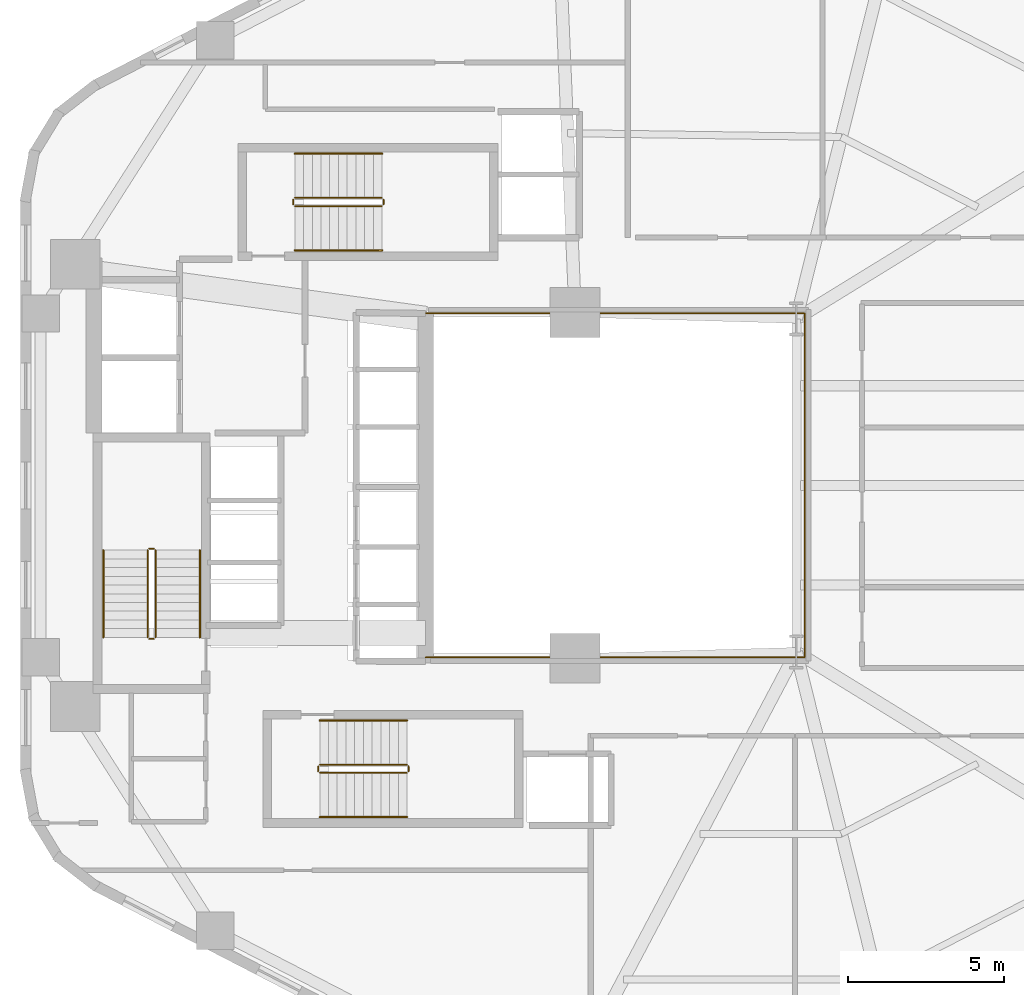
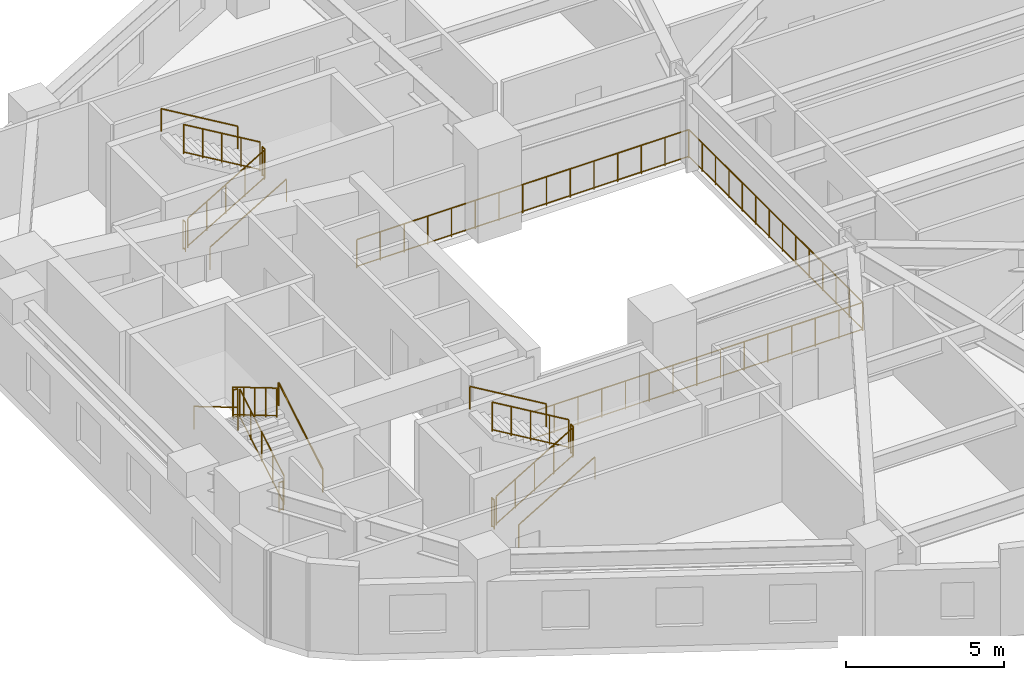
# One storey, part 6 of 6: 19 railings.
"""IFC4 building model written with IfcOpenShell, lengths in metres."""

import ifcopenshell
import ifcopenshell.guid

model = None  # the IFC model being written
_history = None  # IfcOwnerHistory: only IFC2X3 demands one
_inside = {}  # id of a spatial element -> (the spatial element, [elements in it])
_under = {}  # id of a project, library or spatial element -> (it, [spatial elements below it])
_declared = {}  # id of a project -> (the project, [libraries it declares])
_typed = {}  # id of a type object -> (the type object, [elements of that type])
_made_of = {}  # id of a material, layer set ... -> (it, [elements and type objects made of it])


def new_model(schema):
    """Start an empty IFC model of exactly this schema.

    Asked for "IFC4X3", IfcOpenShell would pick the latest addendum, in which some entities
    have other attributes; the version numbers below select the first issue.
    IFC2X3 requires an IfcOwnerHistory on every rooted entity: one is made here for all.
    """
    global model, _history
    if schema == "IFC4X3":
        model = ifcopenshell.file(schema_version=(4, 3, 0, 0))
    else:
        model = ifcopenshell.file(schema=schema)
    _inside.clear()
    _under.clear()
    _declared.clear()
    _typed.clear()
    _made_of.clear()
    _history = None
    if model.schema == "IFC2X3":
        org = make("IfcOrganization", Name="unknown")
        user = make(
            "IfcPersonAndOrganization",
            ThePerson=make("IfcPerson", FamilyName="unknown"),
            TheOrganization=org,
        )
        app = make(
            "IfcApplication",
            ApplicationDeveloper=org,
            Version="unknown",
            ApplicationFullName="unknown",
            ApplicationIdentifier="unknown",
        )
        _history = make(
            "IfcOwnerHistory",
            OwningUser=user,
            OwningApplication=app,
            ChangeAction="ADDED",
            CreationDate=0,
        )
    return model


def make(cls, **values):
    """One entity of the class cls with the attributes given. An attribute that is None is left unset."""
    return model.create_entity(
        cls, **{name: value for name, value in values.items() if value is not None}
    )


def rooted(cls, **values):
    """An entity with a GlobalId (a new one), such as an element, a storey or a relation."""
    return make(cls, GlobalId=ifcopenshell.guid.new(), OwnerHistory=_history, **values)


def si_unit(unit_type, name, prefix=None):
    """IfcSIUnit, for example si_unit("LENGTHUNIT", "METRE", prefix="MILLI")."""
    return make("IfcSIUnit", UnitType=unit_type, Prefix=prefix, Name=name)


def assignment(units):
    """IfcUnitAssignment: the units of a project."""
    return None if units is None else make("IfcUnitAssignment", Units=units)


def point(xyz):
    """IfcCartesianPoint."""
    return None if xyz is None else make("IfcCartesianPoint", Coordinates=xyz)


def direction(xyz):
    """IfcDirection."""
    return None if xyz is None else make("IfcDirection", DirectionRatios=xyz)


def frame(location, z_axis=None, x_axis=None):
    """IfcAxis2Placement3D, a coordinate frame: its origin and axes. An axis left out is left unset."""
    return make(
        "IfcAxis2Placement3D",
        Location=point(location),
        Axis=direction(z_axis),
        RefDirection=direction(x_axis),
    )


def frame_2d(location, x_axis=None):
    """IfcAxis2Placement2D, a coordinate frame in the plane: its origin and x axis."""
    return make(
        "IfcAxis2Placement2D", Location=point(location), RefDirection=direction(x_axis)
    )


def origin():
    """The frame at (0, 0, 0) with its axes left unset."""
    return frame((0.0, 0.0, 0.0))


def origin_2d():
    """The frame at (0, 0) in the plane with its x axis left unset."""
    return frame_2d((0.0, 0.0))


def place(relative_to, where):
    """IfcLocalPlacement: puts the frame where relative to a parent placement (None: the world)."""
    return make(
        "IfcLocalPlacement", PlacementRelTo=relative_to, RelativePlacement=where
    )


def context(
    kind, dimensions, precision=None, world=None, true_north=None, identifier=None
):
    """IfcGeometricRepresentationContext, for example the 3D "Model" context."""
    return make(
        "IfcGeometricRepresentationContext",
        ContextIdentifier=identifier,
        ContextType=kind,
        CoordinateSpaceDimension=dimensions,
        Precision=precision,
        WorldCoordinateSystem=world,
        TrueNorth=true_north,
    )


def subcontext(parent, identifier, kind, view, scale=None):
    """IfcGeometricRepresentationSubContext, for example "Body" below "Model"."""
    return make(
        "IfcGeometricRepresentationSubContext",
        ContextIdentifier=identifier,
        ContextType=kind,
        ParentContext=parent,
        TargetScale=scale,
        TargetView=view,
    )


def project(units=None, contexts=None):
    """IfcProject with its units and contexts."""
    return rooted(
        "IfcProject",
        Name="project",
        RepresentationContexts=contexts,
        UnitsInContext=assignment(units),
    )


def spatial(cls, under=None, at=None, **own):
    """A site, building, storey or space (cls), placed at a placement, below another one or the project."""
    s = rooted(cls, ObjectPlacement=at, **own)
    if under is not None:
        _under.setdefault(under.id(), (under, []))[1].append(s)
    return s


def profile(cls, at=None, kind="AREA", **sizes):
    """A parametric profile (cls). Its sizes go by their IFC names, for example OverallWidth=200.0."""
    return make(cls, ProfileType=kind, Position=at, **sizes)


def circle(**sizes):
    """IfcCircleProfileDef."""
    return profile("IfcCircleProfileDef", **sizes)


def extrude(swept, where, along, depth):
    """IfcExtrudedAreaSolid: the profile swept, set in the frame where, extruded along a direction by depth."""
    return make(
        "IfcExtrudedAreaSolid",
        SweptArea=swept,
        Position=where,
        ExtrudedDirection=direction(along),
        Depth=depth,
    )


def shape(context_of_items, identifier, shape_type, items):
    """IfcShapeRepresentation: the items that make up one representation, for example the "Body"."""
    return make(
        "IfcShapeRepresentation",
        ContextOfItems=context_of_items,
        RepresentationIdentifier=identifier,
        RepresentationType=shape_type,
        Items=items,
    )


def material(Name=None, Category=None):
    """IfcMaterial."""
    return make("IfcMaterial", Name=Name, Category=Category)


def made_of(thing, what):
    """Note that an element or type object is made of a material, layer set ...; save() writes the relation."""
    if what is not None:
        _made_of.setdefault(what.id(), (what, []))[1].append(thing)
    return thing


def type_object(cls, material=None, **own):
    """A type object (cls), such as IfcWallType, which elements share."""
    return made_of(rooted(cls, **own), material)


def element(
    cls,
    number,
    at=None,
    inside=None,
    cuts=None,
    type_object=None,
    material=None,
    context=None,
    identifier="Body",
    shape_type=None,
    held_by="IfcProductDefinitionShape",
    body=None,
    shapes=None,
    **own,
):
    """One element of the class cls, such as IfcWall. Its Tag is "e" and its number.

    at: its placement. inside: the storey or other place that contains it. cuts: it is an
    opening in that element (IfcRelVoidsElement). A single representation is given by context,
    identifier, shape_type and body (its items); several are given by shapes. held_by: the class
    of the entity that holds the representations. save() writes the other relations.
    """
    e = rooted(cls, Tag="e%d" % number, ObjectPlacement=at, **own)
    if body is not None:
        shapes = [shape(context, identifier, shape_type, body)]
    if shapes is not None:
        e.Representation = make(held_by, Representations=shapes)
    if inside is not None:
        _inside.setdefault(inside.id(), (inside, []))[1].append(e)
    if cuts is not None:
        rooted(
            "IfcRelVoidsElement", RelatingBuildingElement=cuts, RelatedOpeningElement=e
        )
    if type_object is not None:
        _typed.setdefault(type_object.id(), (type_object, []))[1].append(e)
    return made_of(e, material)


def aggregate(whole, parts):
    """IfcRelAggregates: a whole, such as a stair, and the parts it consists of."""
    return rooted("IfcRelAggregates", RelatingObject=whole, RelatedObjects=parts)


def save(model, path):
    """Write the relations noted so far, then the file.

    IfcRelAggregates (storeys below a building ...), IfcRelContainedInSpatialStructure (elements
    in a storey), IfcRelDefinesByType, IfcRelAssociatesMaterial and IfcRelDeclares: one each for
    every whole, place, type object, material and project.
    """
    for whole, parts in _under.values():
        aggregate(whole, parts)
    for where, things in _inside.values():
        rooted(
            "IfcRelContainedInSpatialStructure",
            RelatedElements=things,
            RelatingStructure=where,
        )
    for kind, things in _typed.values():
        rooted("IfcRelDefinesByType", RelatedObjects=things, RelatingType=kind)
    for what, things in _made_of.values():
        rooted("IfcRelAssociatesMaterial", RelatedObjects=things, RelatingMaterial=what)
    for by, libraries in _declared.values():
        rooted("IfcRelDeclares", RelatingContext=by, RelatedDefinitions=libraries)
    model.write(path)


model = new_model("IFC4")

# Units and contexts
model_context = context("Model", 3, precision=1e-05, world=origin(), true_north=direction((0.0, 1.0)))
body_context = subcontext(model_context, "Body", "Model", "MODEL_VIEW")
ifc_project = project(units=[si_unit("LENGTHUNIT", "METRE"), si_unit("AREAUNIT", "SQUARE_METRE"), si_unit("VOLUMEUNIT", "CUBIC_METRE"), si_unit("PLANEANGLEUNIT", "RADIAN"), si_unit("MASSUNIT", "GRAM", prefix="KILO"), si_unit("THERMODYNAMICTEMPERATUREUNIT", "KELVIN"), si_unit("POWERUNIT", "WATT")], contexts=[model_context])

# Site, building, storey
site_placement = place(None, origin())
site = spatial("IfcSite", under=ifc_project, at=site_placement, CompositionType="ELEMENT")
building_placement = place(site_placement, origin())
building = spatial("IfcBuilding", under=site, at=building_placement, Name="Skarre Station Tower", CompositionType="ELEMENT")
storey_placement = place(building_placement, frame((0.0, 0.0, 67.14990234375)))
storey = spatial("IfcBuildingStorey", under=building, at=storey_placement, Name="L17", CompositionType="ELEMENT", Elevation=67.14990234375)

# Railings
ifc_material_1 = material(Name="Bronze Anodized Steel & Laminated Glass Balustrade", Category="steel")
railing_type_1 = type_object("IfcRailingType", Name="Atrium Void & Mezzanine Guard Balustrade 1120", PredefinedType="GUARDRAIL", material=ifc_material_1)
railing_1_placement = place(storey_placement, frame((27.550048828125, 18.47998046875, 0.0)))
element("IfcRailing", 1, at=railing_1_placement, inside=storey, type_object=railing_type_1, Name="L17 Atrium Void Guard Balustrade", PredefinedType="GUARDRAIL", context=body_context, shape_type="SweptSolid", body=[
    extrude(circle(Radius=0.02392578125, at=origin_2d()), frame((0.0, 0.0, 1.09619140625), z_axis=(1.0, 0.0, 0.0), x_axis=(0.0, 1.0, 0.0)), (0.0, 0.0, 1.0), 12.169921875),
    extrude(circle(Radius=0.02099609375, at=origin_2d()), frame((0.0, 0.0, 0.06005859375), z_axis=(1.0, 0.0, 0.0), x_axis=(0.0, 1.0, 0.0)), (0.0, 0.0, 1.0), 12.169921875),
    extrude(circle(Radius=0.02392578125, at=origin_2d()), frame((12.169921875, 0.0, 1.09619140625), z_axis=(0.0, 1.0, 0.0), x_axis=(-1.0, 0.0, 0.0)), (0.0, 0.0, 1.0), 11.0400390625),
    extrude(circle(Radius=0.02099609375, at=origin_2d()), frame((12.169921875, 0.0, 0.06005859375), z_axis=(0.0, 1.0, 0.0), x_axis=(-1.0, 0.0, 0.0)), (0.0, 0.0, 1.0), 11.0400390625),
    extrude(circle(Radius=0.02392578125, at=origin_2d()), frame((12.169921875, 11.0400390625, 1.09619140625), z_axis=(-1.0, 0.0, 0.0), x_axis=(0.0, -1.0, 0.0)), (0.0, 0.0, 1.0), 12.169921875),
    extrude(circle(Radius=0.02099609375, at=origin_2d()), frame((12.169921875, 11.0400390625, 0.06005859375), z_axis=(-1.0, 0.0, 0.0), x_axis=(0.0, -1.0, 0.0)), (0.0, 0.0, 1.0), 12.169921875),
    extrude(circle(Radius=0.02099609375, at=origin_2d()), origin(), (0.0, 0.0, 1.0), 1.072021484375),
    extrude(circle(Radius=0.02099609375, at=origin_2d()), frame((0.869384765625, 0.0, 0.0)), (0.0, 0.0, 1.0), 1.072021484375),
    extrude(circle(Radius=0.02099609375, at=origin_2d()), frame((1.738525390625, 0.0, 0.0)), (0.0, 0.0, 1.0), 1.072021484375),
    extrude(circle(Radius=0.02099609375, at=origin_2d()), frame((2.60791015625, 0.0, 0.0)), (0.0, 0.0, 1.0), 1.072021484375),
    extrude(circle(Radius=0.02099609375, at=origin_2d()), frame((3.47705078125, 0.0, 0.0)), (0.0, 0.0, 1.0), 1.072021484375),
    extrude(circle(Radius=0.02099609375, at=origin_2d()), frame((4.346435546875, 0.0, 0.0)), (0.0, 0.0, 1.0), 1.072021484375),
    extrude(circle(Radius=0.02099609375, at=origin_2d()), frame((5.215576171875, 0.0, 0.0)), (0.0, 0.0, 1.0), 1.072021484375),
    extrude(circle(Radius=0.02099609375, at=origin_2d()), frame((6.0849609375, 0.0, 0.0)), (0.0, 0.0, 1.0), 1.072021484375),
    extrude(circle(Radius=0.02099609375, at=origin_2d()), frame((6.954345703125, 0.0, 0.0)), (0.0, 0.0, 1.0), 1.072021484375),
    extrude(circle(Radius=0.02099609375, at=origin_2d()), frame((7.823486328125, 0.0, 0.0)), (0.0, 0.0, 1.0), 1.072021484375),
    extrude(circle(Radius=0.02099609375, at=origin_2d()), frame((8.69287109375, 0.0, 0.0)), (0.0, 0.0, 1.0), 1.072021484375),
    extrude(circle(Radius=0.02099609375, at=origin_2d()), frame((9.56201171875, 0.0, 0.0)), (0.0, 0.0, 1.0), 1.072021484375),
    extrude(circle(Radius=0.02099609375, at=origin_2d()), frame((10.431396484375, 0.0, 0.0)), (0.0, 0.0, 1.0), 1.072021484375),
    extrude(circle(Radius=0.02099609375, at=origin_2d()), frame((11.300537109375, 0.0, 0.0)), (0.0, 0.0, 1.0), 1.072021484375),
    extrude(circle(Radius=0.02099609375, at=origin_2d()), frame((12.169921875, 0.0, 0.0)), (0.0, 0.0, 1.0), 1.072021484375),
    extrude(circle(Radius=0.02099609375, at=origin_2d()), frame((12.169921875, 0.84912109375, 0.0)), (0.0, 0.0, 1.0), 1.072021484375),
    extrude(circle(Radius=0.02099609375, at=origin_2d()), frame((12.169921875, 1.698486328125, 0.0)), (0.0, 0.0, 1.0), 1.072021484375),
    extrude(circle(Radius=0.02099609375, at=origin_2d()), frame((12.169921875, 2.547607421875, 0.0)), (0.0, 0.0, 1.0), 1.072021484375),
    extrude(circle(Radius=0.02099609375, at=origin_2d()), frame((12.169921875, 3.39697265625, 0.0)), (0.0, 0.0, 1.0), 1.072021484375),
    extrude(circle(Radius=0.02099609375, at=origin_2d()), frame((12.169921875, 4.24609375, 0.0)), (0.0, 0.0, 1.0), 1.072021484375),
    extrude(circle(Radius=0.02099609375, at=origin_2d()), frame((12.169921875, 5.095458984375, 0.0)), (0.0, 0.0, 1.0), 1.072021484375),
    extrude(circle(Radius=0.02099609375, at=origin_2d()), frame((12.169921875, 5.944580078125, 0.0)), (0.0, 0.0, 1.0), 1.072021484375),
    extrude(circle(Radius=0.02099609375, at=origin_2d()), frame((12.169921875, 6.7939453125, 0.0)), (0.0, 0.0, 1.0), 1.072021484375),
    extrude(circle(Radius=0.02099609375, at=origin_2d()), frame((12.169921875, 7.64306640625, 0.0)), (0.0, 0.0, 1.0), 1.072021484375),
    extrude(circle(Radius=0.02099609375, at=origin_2d()), frame((12.169921875, 8.492431640625, 0.0)), (0.0, 0.0, 1.0), 1.072021484375),
    extrude(circle(Radius=0.02099609375, at=origin_2d()), frame((12.169921875, 9.341552734375, 0.0)), (0.0, 0.0, 1.0), 1.072021484375),
    extrude(circle(Radius=0.02099609375, at=origin_2d()), frame((12.169921875, 10.19091796875, 0.0)), (0.0, 0.0, 1.0), 1.072021484375),
    extrude(circle(Radius=0.02099609375, at=origin_2d()), frame((12.169921875, 11.0400390625, 0.0)), (0.0, 0.0, 1.0), 1.072021484375),
    extrude(circle(Radius=0.02099609375, at=origin_2d()), frame((11.300537109375, 11.0400390625, 0.0)), (0.0, 0.0, 1.0), 1.072021484375),
    extrude(circle(Radius=0.02099609375, at=origin_2d()), frame((10.431396484375, 11.0400390625, 0.0)), (0.0, 0.0, 1.0), 1.072021484375),
    extrude(circle(Radius=0.02099609375, at=origin_2d()), frame((9.56201171875, 11.0400390625, 0.0)), (0.0, 0.0, 1.0), 1.072021484375),
    extrude(circle(Radius=0.02099609375, at=origin_2d()), frame((8.69287109375, 11.0400390625, 0.0)), (0.0, 0.0, 1.0), 1.072021484375),
    extrude(circle(Radius=0.02099609375, at=origin_2d()), frame((7.823486328125, 11.0400390625, 0.0)), (0.0, 0.0, 1.0), 1.072021484375),
    extrude(circle(Radius=0.02099609375, at=origin_2d()), frame((6.954345703125, 11.0400390625, 0.0)), (0.0, 0.0, 1.0), 1.072021484375),
    extrude(circle(Radius=0.02099609375, at=origin_2d()), frame((6.0849609375, 11.0400390625, 0.0)), (0.0, 0.0, 1.0), 1.072021484375),
    extrude(circle(Radius=0.02099609375, at=origin_2d()), frame((5.215576171875, 11.0400390625, 0.0)), (0.0, 0.0, 1.0), 1.072021484375),
    extrude(circle(Radius=0.02099609375, at=origin_2d()), frame((4.346435546875, 11.0400390625, 0.0)), (0.0, 0.0, 1.0), 1.072021484375),
    extrude(circle(Radius=0.02099609375, at=origin_2d()), frame((3.47705078125, 11.0400390625, 0.0)), (0.0, 0.0, 1.0), 1.072021484375),
    extrude(circle(Radius=0.02099609375, at=origin_2d()), frame((2.60791015625, 11.0400390625, 0.0)), (0.0, 0.0, 1.0), 1.072021484375),
    extrude(circle(Radius=0.02099609375, at=origin_2d()), frame((1.738525390625, 11.0400390625, 0.0)), (0.0, 0.0, 1.0), 1.072021484375),
    extrude(circle(Radius=0.02099609375, at=origin_2d()), frame((0.869384765625, 11.0400390625, 0.0)), (0.0, 0.0, 1.0), 1.072021484375),
    extrude(circle(Radius=0.02099609375, at=origin_2d()), frame((0.0, 11.0400390625, 0.0)), (0.0, 0.0, 1.0), 1.072021484375),
])
ifc_material_2 = material(Name="Powder-Coated Tubular Steel", Category="steel")
railing_type_2 = type_object("IfcRailingType", Name="Painted Steel Ramp & Stair Handrail 920", PredefinedType="HANDRAIL", material=ifc_material_2)
railing_2_placement = place(storey_placement, frame((20.300048828125, 19.1201171875, 0.166015625)))
element("IfcRailing", 2, at=railing_2_placement, inside=storey, type_object=railing_type_2, Name="L17 ST-1 stair handrail 1", PredefinedType="HANDRAIL", context=body_context, shape_type="SweptSolid", body=[
    extrude(circle(Radius=0.02392578125, at=origin_2d()), frame((0.0, 0.0, 0.8759765625), z_axis=(0.0, 0.860286659441, 0.509810615413), x_axis=(-1.0, 0.0, 0.0)), (0.0, 0.0, 1.0), 3.25439453125),
    extrude(circle(Radius=0.02099609375, at=origin_2d()), origin(), (0.0, 0.0, 1.0), 0.851806640625),
    extrude(circle(Radius=0.02099609375, at=origin_2d()), frame((0.0, 2.7998046875, 1.6591796875)), (0.0, 0.0, 1.0), 0.851806640625),
])
railing_3_placement = place(storey_placement, frame((17.199951171875, 21.919921875, 1.990966796875)))
element("IfcRailing", 3, at=railing_3_placement, inside=storey, type_object=railing_type_2, Name="L17 ST-1 stair handrail 2", PredefinedType="HANDRAIL", context=body_context, shape_type="SweptSolid", body=[
    extrude(circle(Radius=0.02392578125, at=origin_2d()), frame((0.0, 0.0, 0.8759765625), z_axis=(0.0, -0.860286659441, 0.509810615413), x_axis=(1.0, 0.0, 0.0)), (0.0, 0.0, 1.0), 3.25439453125),
    extrude(circle(Radius=0.02099609375, at=origin_2d()), origin(), (0.0, 0.0, 1.0), 0.851806640625),
    extrude(circle(Radius=0.02099609375, at=origin_2d()), frame((0.0, -2.7998046875, 1.6591796875)), (0.0, 0.0, 1.0), 0.851806640625),
])
railing_4_placement = place(storey_placement, frame((24.14990234375, 13.35009765625, 0.166015625)))
element("IfcRailing", 4, at=railing_4_placement, inside=storey, type_object=railing_type_2, Name="L17 ST-2 stair handrail 1", PredefinedType="HANDRAIL", context=body_context, shape_type="SweptSolid", body=[
    extrude(circle(Radius=0.02392578125, at=origin_2d()), frame((0.0, 0.0, 0.8759765625), z_axis=(0.860306154799, 0.0, 0.50977771628), x_axis=(0.0, 1.0, 0.0)), (0.0, 0.0, 1.0), 3.254638671875),
    extrude(circle(Radius=0.02099609375, at=origin_2d()), origin(), (0.0, 0.0, 1.0), 0.851806640625),
    extrude(circle(Radius=0.02099609375, at=origin_2d()), frame((2.800048828125, 0.0, 1.6591796875)), (0.0, 0.0, 1.0), 0.851806640625),
])
railing_5_placement = place(storey_placement, frame((26.949951171875, 16.449951171875, 1.990966796875)))
element("IfcRailing", 5, at=railing_5_placement, inside=storey, type_object=railing_type_2, Name="L17 ST-2 stair handrail 2", PredefinedType="HANDRAIL", context=body_context, shape_type="SweptSolid", body=[
    extrude(circle(Radius=0.02392578125, at=origin_2d()), frame((0.0, 0.0, 0.8759765625), z_axis=(-0.860306154799, 0.0, 0.50977771628), x_axis=(0.0, -1.0, 0.0)), (0.0, 0.0, 1.0), 3.254638671875),
    extrude(circle(Radius=0.02099609375, at=origin_2d()), origin(), (0.0, 0.0, 1.0), 0.851806640625),
    extrude(circle(Radius=0.02099609375, at=origin_2d()), frame((-2.800048828125, 0.0, 1.6591796875)), (0.0, 0.0, 1.0), 0.851806640625),
])
railing_6_placement = place(storey_placement, frame((23.35009765625, 31.550048828125, 0.166015625)))
element("IfcRailing", 6, at=railing_6_placement, inside=storey, type_object=railing_type_2, Name="L17 ST-3 stair handrail 1", PredefinedType="HANDRAIL", context=body_context, shape_type="SweptSolid", body=[
    extrude(circle(Radius=0.02392578125, at=origin_2d()), frame((0.0, 0.0, 0.8759765625), z_axis=(0.860286659441, 0.0, 0.509810615413), x_axis=(0.0, 1.0, 0.0)), (0.0, 0.0, 1.0), 3.25439453125),
    extrude(circle(Radius=0.02099609375, at=origin_2d()), origin(), (0.0, 0.0, 1.0), 0.851806640625),
    extrude(circle(Radius=0.02099609375, at=origin_2d()), frame((2.7998046875, 0.0, 1.6591796875)), (0.0, 0.0, 1.0), 0.851806640625),
])
railing_7_placement = place(storey_placement, frame((26.14990234375, 34.64990234375, 1.990966796875)))
element("IfcRailing", 7, at=railing_7_placement, inside=storey, type_object=railing_type_2, Name="L17 ST-3 stair handrail 2", PredefinedType="HANDRAIL", context=body_context, shape_type="SweptSolid", body=[
    extrude(circle(Radius=0.02392578125, at=origin_2d()), frame((0.0, 0.0, 0.8759765625), z_axis=(-0.860286659441, 0.0, 0.509810615413), x_axis=(0.0, -1.0, 0.0)), (0.0, 0.0, 1.0), 3.25439453125),
    extrude(circle(Radius=0.02099609375, at=origin_2d()), origin(), (0.0, 0.0, 1.0), 0.851806640625),
    extrude(circle(Radius=0.02099609375, at=origin_2d()), frame((-2.7998046875, 0.0, 1.6591796875)), (0.0, 0.0, 1.0), 0.851806640625),
])
railing_type_3 = type_object("IfcRailingType", Name="Painted Steel Stairwell Guardrail 1100", PredefinedType="GUARDRAIL", material=ifc_material_2)
railing_8_placement = place(storey_placement, frame((18.8798828125, 19.1201171875, 0.166015625)))
element("IfcRailing", 8, at=railing_8_placement, inside=storey, type_object=railing_type_3, Name="L17 ST-1 stair guard 1", PredefinedType="GUARDRAIL", context=body_context, shape_type="SweptSolid", body=[
    extrude(circle(Radius=0.02392578125, at=origin_2d()), frame((0.0, 0.0, 1.1259765625), z_axis=(0.0, 0.860286659441, 0.509810615413), x_axis=(-1.0, 0.0, 0.0)), (0.0, 0.0, 1.0), 3.25439453125),
    extrude(circle(Radius=0.02099609375, at=origin_2d()), frame((0.0, 0.0, 0.06005859375), z_axis=(0.0, 0.860286659441, 0.509810615413), x_axis=(-1.0, 0.0, 0.0)), (0.0, 0.0, 1.0), 3.25439453125),
    extrude(circle(Radius=0.02099609375, at=origin_2d()), origin(), (0.0, 0.0, 1.0), 1.101806640625),
    extrude(circle(Radius=0.02099609375, at=origin_2d()), frame((0.0, 0.699951171875, 0.414794921875)), (0.0, 0.0, 1.0), 1.101806640625),
    extrude(circle(Radius=0.02099609375, at=origin_2d()), frame((0.0, 1.39990234375, 0.82958984375)), (0.0, 0.0, 1.0), 1.101806640625),
    extrude(circle(Radius=0.02099609375, at=origin_2d()), frame((0.0, 2.099853515625, 1.244384765625)), (0.0, 0.0, 1.0), 1.101806640625),
    extrude(circle(Radius=0.02099609375, at=origin_2d()), frame((0.0, 2.7998046875, 1.6591796875)), (0.0, 0.0, 1.0), 1.101806640625),
])
railing_9_placement = place(storey_placement, frame((18.830078125, 21.969970703125, 1.8251953125)))
element("IfcRailing", 9, at=railing_9_placement, inside=storey, type_object=railing_type_3, Name="L17 ST-1 stair guard 2", PredefinedType="GUARDRAIL", context=body_context, shape_type="SweptSolid", body=[
    extrude(circle(Radius=0.02392578125, at=origin_2d()), frame((0.0, 0.0, 1.1259765625), z_axis=(-1.0, 0.0, 0.0), x_axis=(0.0, -1.0, 0.0)), (0.0, 0.0, 1.0), 0.16015625),
    extrude(circle(Radius=0.02099609375, at=origin_2d()), frame((0.0, 0.0, 0.06005859375), z_axis=(-1.0, 0.0, 0.0), x_axis=(0.0, -1.0, 0.0)), (0.0, 0.0, 1.0), 0.16015625),
    extrude(circle(Radius=0.02099609375, at=origin_2d()), origin(), (0.0, 0.0, 1.0), 1.101806640625),
    extrude(circle(Radius=0.02099609375, at=origin_2d()), frame((-0.16015625, 0.0, 0.0)), (0.0, 0.0, 1.0), 1.101806640625),
])
railing_10_placement = place(storey_placement, frame((18.6201171875, 21.919921875, 1.990966796875)))
element("IfcRailing", 10, at=railing_10_placement, inside=storey, type_object=railing_type_3, Name="L17 ST-1 stair guard 3", PredefinedType="GUARDRAIL", context=body_context, shape_type="SweptSolid", body=[
    extrude(circle(Radius=0.02392578125, at=origin_2d()), frame((0.0, 0.0, 1.1259765625), z_axis=(0.0, -0.860286659441, 0.509810615413), x_axis=(1.0, 0.0, 0.0)), (0.0, 0.0, 1.0), 3.25439453125),
    extrude(circle(Radius=0.02099609375, at=origin_2d()), frame((0.0, 0.0, 0.06005859375), z_axis=(0.0, -0.860286659441, 0.509810615413), x_axis=(1.0, 0.0, 0.0)), (0.0, 0.0, 1.0), 3.25439453125),
    extrude(circle(Radius=0.02099609375, at=origin_2d()), origin(), (0.0, 0.0, 1.0), 1.101806640625),
    extrude(circle(Radius=0.02099609375, at=origin_2d()), frame((0.0, -0.699951171875, 0.414794921875)), (0.0, 0.0, 1.0), 1.101806640625),
    extrude(circle(Radius=0.02099609375, at=origin_2d()), frame((0.0, -1.39990234375, 0.82958984375)), (0.0, 0.0, 1.0), 1.101806640625),
    extrude(circle(Radius=0.02099609375, at=origin_2d()), frame((0.0, -2.099853515625, 1.244384765625)), (0.0, 0.0, 1.0), 1.101806640625),
    extrude(circle(Radius=0.02099609375, at=origin_2d()), frame((0.0, -2.7998046875, 1.6591796875)), (0.0, 0.0, 1.0), 1.101806640625),
])
railing_11_placement = place(storey_placement, frame((18.830078125, 19.070068359375, 0.0)))
element("IfcRailing", 11, at=railing_11_placement, inside=storey, type_object=railing_type_3, Name="L17 ST-1 stair guard 4", PredefinedType="GUARDRAIL", context=body_context, shape_type="SweptSolid", body=[
    extrude(circle(Radius=0.02392578125, at=origin_2d()), frame((0.0, 0.0, 1.1259765625), z_axis=(-1.0, 0.0, 0.0), x_axis=(0.0, -1.0, 0.0)), (0.0, 0.0, 1.0), 0.16015625),
    extrude(circle(Radius=0.02099609375, at=origin_2d()), frame((0.0, 0.0, 0.06005859375), z_axis=(-1.0, 0.0, 0.0), x_axis=(0.0, -1.0, 0.0)), (0.0, 0.0, 1.0), 0.16015625),
    extrude(circle(Radius=0.02099609375, at=origin_2d()), origin(), (0.0, 0.0, 1.0), 1.101806640625),
    extrude(circle(Radius=0.02099609375, at=origin_2d()), frame((-0.16015625, 0.0, 0.0)), (0.0, 0.0, 1.0), 1.101806640625),
])
railing_12_placement = place(storey_placement, frame((24.14990234375, 14.77001953125, 0.166015625)))
element("IfcRailing", 12, at=railing_12_placement, inside=storey, type_object=railing_type_3, Name="L17 ST-2 stair guard 1", PredefinedType="GUARDRAIL", context=body_context, shape_type="SweptSolid", body=[
    extrude(circle(Radius=0.02392578125, at=origin_2d()), frame((0.0, 0.0, 1.1259765625), z_axis=(0.860306154799, 0.0, 0.50977771628), x_axis=(0.0, 1.0, 0.0)), (0.0, 0.0, 1.0), 3.254638671875),
    extrude(circle(Radius=0.02099609375, at=origin_2d()), frame((0.0, 0.0, 0.06005859375), z_axis=(0.860306154799, 0.0, 0.50977771628), x_axis=(0.0, 1.0, 0.0)), (0.0, 0.0, 1.0), 3.254638671875),
    extrude(circle(Radius=0.02099609375, at=origin_2d()), origin(), (0.0, 0.0, 1.0), 1.101806640625),
    extrude(circle(Radius=0.02099609375, at=origin_2d()), frame((0.699951171875, 0.0, 0.414794921875)), (0.0, 0.0, 1.0), 1.101806640625),
    extrude(circle(Radius=0.02099609375, at=origin_2d()), frame((1.39990234375, 0.0, 0.82958984375)), (0.0, 0.0, 1.0), 1.101806640625),
    extrude(circle(Radius=0.02099609375, at=origin_2d()), frame((2.10009765625, 0.0, 1.244384765625)), (0.0, 0.0, 1.0), 1.101806640625),
    extrude(circle(Radius=0.02099609375, at=origin_2d()), frame((2.800048828125, 0.0, 1.6591796875)), (0.0, 0.0, 1.0), 1.101806640625),
])
railing_13_placement = place(storey_placement, frame((27.0, 14.820068359375, 1.8251953125)))
element("IfcRailing", 13, at=railing_13_placement, inside=storey, type_object=railing_type_3, Name="L17 ST-2 stair guard 2", PredefinedType="GUARDRAIL", context=body_context, shape_type="SweptSolid", body=[
    extrude(circle(Radius=0.02392578125, at=origin_2d()), frame((0.0, 0.0, 1.1259765625), z_axis=(0.0, 1.0, 0.0), x_axis=(-1.0, 0.0, 0.0)), (0.0, 0.0, 1.0), 0.159912109375),
    extrude(circle(Radius=0.02099609375, at=origin_2d()), frame((0.0, 0.0, 0.06005859375), z_axis=(0.0, 1.0, 0.0), x_axis=(-1.0, 0.0, 0.0)), (0.0, 0.0, 1.0), 0.159912109375),
    extrude(circle(Radius=0.02099609375, at=origin_2d()), origin(), (0.0, 0.0, 1.0), 1.101806640625),
    extrude(circle(Radius=0.02099609375, at=origin_2d()), frame((0.0, 0.159912109375, 0.0)), (0.0, 0.0, 1.0), 1.101806640625),
])
railing_14_placement = place(storey_placement, frame((26.949951171875, 15.030029296875, 1.990966796875)))
element("IfcRailing", 14, at=railing_14_placement, inside=storey, type_object=railing_type_3, Name="L17 ST-2 stair guard 3", PredefinedType="GUARDRAIL", context=body_context, shape_type="SweptSolid", body=[
    extrude(circle(Radius=0.02392578125, at=origin_2d()), frame((0.0, 0.0, 1.1259765625), z_axis=(-0.860306154799, 0.0, 0.50977771628), x_axis=(0.0, -1.0, 0.0)), (0.0, 0.0, 1.0), 3.254638671875),
    extrude(circle(Radius=0.02099609375, at=origin_2d()), frame((0.0, 0.0, 0.06005859375), z_axis=(-0.860306154799, 0.0, 0.50977771628), x_axis=(0.0, -1.0, 0.0)), (0.0, 0.0, 1.0), 3.254638671875),
    extrude(circle(Radius=0.02099609375, at=origin_2d()), origin(), (0.0, 0.0, 1.0), 1.101806640625),
    extrude(circle(Radius=0.02099609375, at=origin_2d()), frame((-0.699951171875, 0.0, 0.414794921875)), (0.0, 0.0, 1.0), 1.101806640625),
    extrude(circle(Radius=0.02099609375, at=origin_2d()), frame((-1.39990234375, 0.0, 0.82958984375)), (0.0, 0.0, 1.0), 1.101806640625),
    extrude(circle(Radius=0.02099609375, at=origin_2d()), frame((-2.10009765625, 0.0, 1.244384765625)), (0.0, 0.0, 1.0), 1.101806640625),
    extrude(circle(Radius=0.02099609375, at=origin_2d()), frame((-2.800048828125, 0.0, 1.6591796875)), (0.0, 0.0, 1.0), 1.101806640625),
])
railing_15_placement = place(storey_placement, frame((24.10009765625, 14.820068359375, 0.0)))
element("IfcRailing", 15, at=railing_15_placement, inside=storey, type_object=railing_type_3, Name="L17 ST-2 stair guard 4", PredefinedType="GUARDRAIL", context=body_context, shape_type="SweptSolid", body=[
    extrude(circle(Radius=0.02392578125, at=origin_2d()), frame((0.0, 0.0, 1.1259765625), z_axis=(0.0, 1.0, 0.0), x_axis=(-1.0, 0.0, 0.0)), (0.0, 0.0, 1.0), 0.159912109375),
    extrude(circle(Radius=0.02099609375, at=origin_2d()), frame((0.0, 0.0, 0.06005859375), z_axis=(0.0, 1.0, 0.0), x_axis=(-1.0, 0.0, 0.0)), (0.0, 0.0, 1.0), 0.159912109375),
    extrude(circle(Radius=0.02099609375, at=origin_2d()), origin(), (0.0, 0.0, 1.0), 1.101806640625),
    extrude(circle(Radius=0.02099609375, at=origin_2d()), frame((0.0, 0.159912109375, 0.0)), (0.0, 0.0, 1.0), 1.101806640625),
])
railing_16_placement = place(storey_placement, frame((23.35009765625, 32.969970703125, 0.166015625)))
element("IfcRailing", 16, at=railing_16_placement, inside=storey, type_object=railing_type_3, Name="L17 ST-3 stair guard 1", PredefinedType="GUARDRAIL", context=body_context, shape_type="SweptSolid", body=[
    extrude(circle(Radius=0.02392578125, at=origin_2d()), frame((0.0, 0.0, 1.1259765625), z_axis=(0.860286659441, 0.0, 0.509810615413), x_axis=(0.0, 1.0, 0.0)), (0.0, 0.0, 1.0), 3.25439453125),
    extrude(circle(Radius=0.02099609375, at=origin_2d()), frame((0.0, 0.0, 0.06005859375), z_axis=(0.860286659441, 0.0, 0.509810615413), x_axis=(0.0, 1.0, 0.0)), (0.0, 0.0, 1.0), 3.25439453125),
    extrude(circle(Radius=0.02099609375, at=origin_2d()), origin(), (0.0, 0.0, 1.0), 1.101806640625),
    extrude(circle(Radius=0.02099609375, at=origin_2d()), frame((0.699951171875, 0.0, 0.414794921875)), (0.0, 0.0, 1.0), 1.101806640625),
    extrude(circle(Radius=0.02099609375, at=origin_2d()), frame((1.39990234375, 0.0, 0.82958984375)), (0.0, 0.0, 1.0), 1.101806640625),
    extrude(circle(Radius=0.02099609375, at=origin_2d()), frame((2.099853515625, 0.0, 1.244384765625)), (0.0, 0.0, 1.0), 1.101806640625),
    extrude(circle(Radius=0.02099609375, at=origin_2d()), frame((2.7998046875, 0.0, 1.6591796875)), (0.0, 0.0, 1.0), 1.101806640625),
])
railing_17_placement = place(storey_placement, frame((26.199951171875, 33.02001953125, 1.8251953125)))
element("IfcRailing", 17, at=railing_17_placement, inside=storey, type_object=railing_type_3, Name="L17 ST-3 stair guard 2", PredefinedType="GUARDRAIL", context=body_context, shape_type="SweptSolid", body=[
    extrude(circle(Radius=0.02392578125, at=origin_2d()), frame((0.0, 0.0, 1.1259765625), z_axis=(0.0, 1.0, 0.0), x_axis=(-1.0, 0.0, 0.0)), (0.0, 0.0, 1.0), 0.159912109375),
    extrude(circle(Radius=0.02099609375, at=origin_2d()), frame((0.0, 0.0, 0.06005859375), z_axis=(0.0, 1.0, 0.0), x_axis=(-1.0, 0.0, 0.0)), (0.0, 0.0, 1.0), 0.159912109375),
    extrude(circle(Radius=0.02099609375, at=origin_2d()), origin(), (0.0, 0.0, 1.0), 1.101806640625),
    extrude(circle(Radius=0.02099609375, at=origin_2d()), frame((0.0, 0.159912109375, 0.0)), (0.0, 0.0, 1.0), 1.101806640625),
])
railing_18_placement = place(storey_placement, frame((26.14990234375, 33.22998046875, 1.990966796875)))
element("IfcRailing", 18, at=railing_18_placement, inside=storey, type_object=railing_type_3, Name="L17 ST-3 stair guard 3", PredefinedType="GUARDRAIL", context=body_context, shape_type="SweptSolid", body=[
    extrude(circle(Radius=0.02392578125, at=origin_2d()), frame((0.0, 0.0, 1.1259765625), z_axis=(-0.860286659441, 0.0, 0.509810615413), x_axis=(0.0, -1.0, 0.0)), (0.0, 0.0, 1.0), 3.25439453125),
    extrude(circle(Radius=0.02099609375, at=origin_2d()), frame((0.0, 0.0, 0.06005859375), z_axis=(-0.860286659441, 0.0, 0.509810615413), x_axis=(0.0, -1.0, 0.0)), (0.0, 0.0, 1.0), 3.25439453125),
    extrude(circle(Radius=0.02099609375, at=origin_2d()), origin(), (0.0, 0.0, 1.0), 1.101806640625),
    extrude(circle(Radius=0.02099609375, at=origin_2d()), frame((-0.699951171875, 0.0, 0.414794921875)), (0.0, 0.0, 1.0), 1.101806640625),
    extrude(circle(Radius=0.02099609375, at=origin_2d()), frame((-1.39990234375, 0.0, 0.82958984375)), (0.0, 0.0, 1.0), 1.101806640625),
    extrude(circle(Radius=0.02099609375, at=origin_2d()), frame((-2.099853515625, 0.0, 1.244384765625)), (0.0, 0.0, 1.0), 1.101806640625),
    extrude(circle(Radius=0.02099609375, at=origin_2d()), frame((-2.7998046875, 0.0, 1.6591796875)), (0.0, 0.0, 1.0), 1.101806640625),
])
railing_19_placement = place(storey_placement, frame((23.300048828125, 33.02001953125, 0.0)))
element("IfcRailing", 19, at=railing_19_placement, inside=storey, type_object=railing_type_3, Name="L17 ST-3 stair guard 4", PredefinedType="GUARDRAIL", context=body_context, shape_type="SweptSolid", body=[
    extrude(circle(Radius=0.02392578125, at=origin_2d()), frame((0.0, 0.0, 1.1259765625), z_axis=(0.0, 1.0, 0.0), x_axis=(-1.0, 0.0, 0.0)), (0.0, 0.0, 1.0), 0.159912109375),
    extrude(circle(Radius=0.02099609375, at=origin_2d()), frame((0.0, 0.0, 0.06005859375), z_axis=(0.0, 1.0, 0.0), x_axis=(-1.0, 0.0, 0.0)), (0.0, 0.0, 1.0), 0.159912109375),
    extrude(circle(Radius=0.02099609375, at=origin_2d()), origin(), (0.0, 0.0, 1.0), 1.101806640625),
    extrude(circle(Radius=0.02099609375, at=origin_2d()), frame((0.0, 0.159912109375, 0.0)), (0.0, 0.0, 1.0), 1.101806640625),
])

save(model, "model.ifc")
